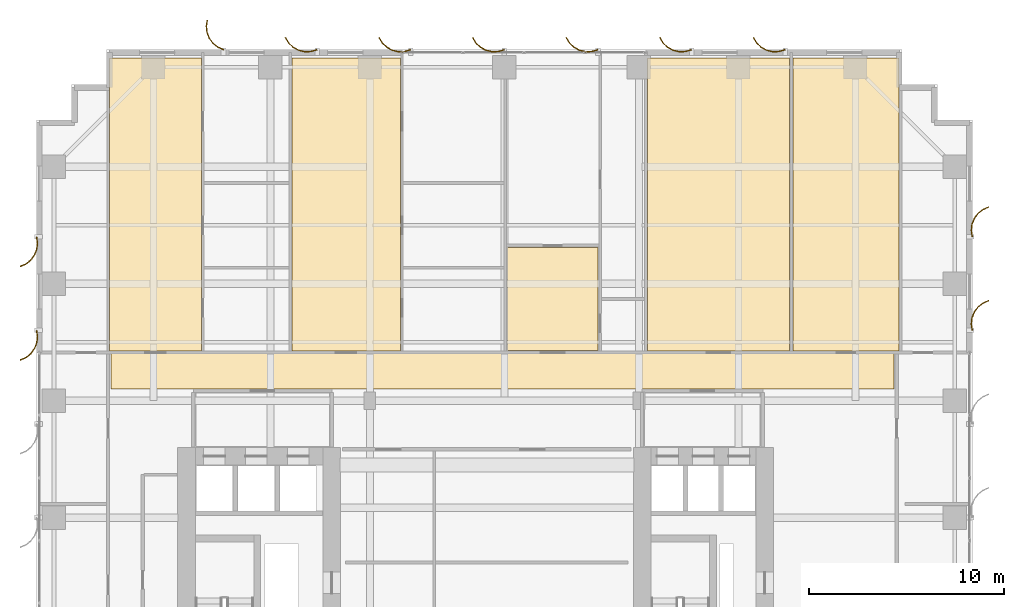
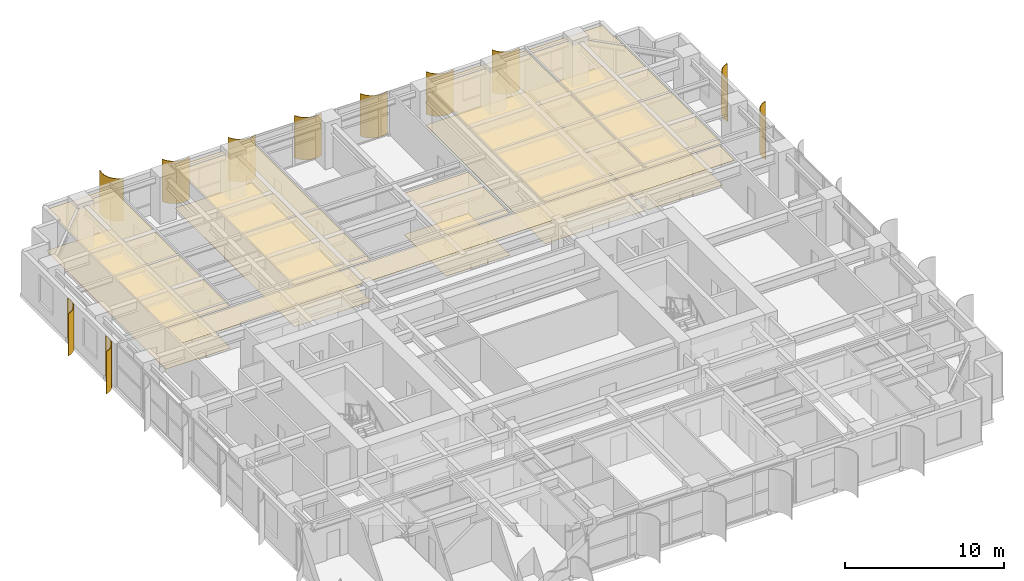
# One storey, part 23 of 23: 11 coverings, 11 shading devices.
"""IFC4 building model written with IfcOpenShell, lengths in metres."""

import ifcopenshell
import ifcopenshell.guid

model = None  # the IFC model being written
_history = None  # IfcOwnerHistory: only IFC2X3 demands one
_inside = {}  # id of a spatial element -> (the spatial element, [elements in it])
_under = {}  # id of a project, library or spatial element -> (it, [spatial elements below it])
_declared = {}  # id of a project -> (the project, [libraries it declares])
_typed = {}  # id of a type object -> (the type object, [elements of that type])
_made_of = {}  # id of a material, layer set ... -> (it, [elements and type objects made of it])


def new_model(schema):
    """Start an empty IFC model of exactly this schema.

    Asked for "IFC4X3", IfcOpenShell would pick the latest addendum, in which some entities
    have other attributes; the version numbers below select the first issue.
    IFC2X3 requires an IfcOwnerHistory on every rooted entity: one is made here for all.
    """
    global model, _history
    if schema == "IFC4X3":
        model = ifcopenshell.file(schema_version=(4, 3, 0, 0))
    else:
        model = ifcopenshell.file(schema=schema)
    _inside.clear()
    _under.clear()
    _declared.clear()
    _typed.clear()
    _made_of.clear()
    _history = None
    if model.schema == "IFC2X3":
        org = make("IfcOrganization", Name="unknown")
        user = make(
            "IfcPersonAndOrganization",
            ThePerson=make("IfcPerson", FamilyName="unknown"),
            TheOrganization=org,
        )
        app = make(
            "IfcApplication",
            ApplicationDeveloper=org,
            Version="unknown",
            ApplicationFullName="unknown",
            ApplicationIdentifier="unknown",
        )
        _history = make(
            "IfcOwnerHistory",
            OwningUser=user,
            OwningApplication=app,
            ChangeAction="ADDED",
            CreationDate=0,
        )
    return model


def make(cls, **values):
    """One entity of the class cls with the attributes given. An attribute that is None is left unset."""
    return model.create_entity(
        cls, **{name: value for name, value in values.items() if value is not None}
    )


def rooted(cls, **values):
    """An entity with a GlobalId (a new one), such as an element, a storey or a relation."""
    return make(cls, GlobalId=ifcopenshell.guid.new(), OwnerHistory=_history, **values)


def si_unit(unit_type, name, prefix=None):
    """IfcSIUnit, for example si_unit("LENGTHUNIT", "METRE", prefix="MILLI")."""
    return make("IfcSIUnit", UnitType=unit_type, Prefix=prefix, Name=name)


def assignment(units):
    """IfcUnitAssignment: the units of a project."""
    return None if units is None else make("IfcUnitAssignment", Units=units)


def point(xyz):
    """IfcCartesianPoint."""
    return None if xyz is None else make("IfcCartesianPoint", Coordinates=xyz)


def direction(xyz):
    """IfcDirection."""
    return None if xyz is None else make("IfcDirection", DirectionRatios=xyz)


def frame(location, z_axis=None, x_axis=None):
    """IfcAxis2Placement3D, a coordinate frame: its origin and axes. An axis left out is left unset."""
    return make(
        "IfcAxis2Placement3D",
        Location=point(location),
        Axis=direction(z_axis),
        RefDirection=direction(x_axis),
    )


def origin():
    """The frame at (0, 0, 0) with its axes left unset."""
    return frame((0.0, 0.0, 0.0))


def place(relative_to, where):
    """IfcLocalPlacement: puts the frame where relative to a parent placement (None: the world)."""
    return make(
        "IfcLocalPlacement", PlacementRelTo=relative_to, RelativePlacement=where
    )


def context(
    kind, dimensions, precision=None, world=None, true_north=None, identifier=None
):
    """IfcGeometricRepresentationContext, for example the 3D "Model" context."""
    return make(
        "IfcGeometricRepresentationContext",
        ContextIdentifier=identifier,
        ContextType=kind,
        CoordinateSpaceDimension=dimensions,
        Precision=precision,
        WorldCoordinateSystem=world,
        TrueNorth=true_north,
    )


def subcontext(parent, identifier, kind, view, scale=None):
    """IfcGeometricRepresentationSubContext, for example "Body" below "Model"."""
    return make(
        "IfcGeometricRepresentationSubContext",
        ContextIdentifier=identifier,
        ContextType=kind,
        ParentContext=parent,
        TargetScale=scale,
        TargetView=view,
    )


def project(units=None, contexts=None):
    """IfcProject with its units and contexts."""
    return rooted(
        "IfcProject",
        Name="project",
        RepresentationContexts=contexts,
        UnitsInContext=assignment(units),
    )


def spatial(cls, under=None, at=None, **own):
    """A site, building, storey or space (cls), placed at a placement, below another one or the project."""
    s = rooted(cls, ObjectPlacement=at, **own)
    if under is not None:
        _under.setdefault(under.id(), (under, []))[1].append(s)
    return s


def polyline(points):
    """IfcPolyline through the points."""
    return make("IfcPolyline", Points=[point(p) for p in points])


def outline(outer, holes=None, kind="AREA"):
    """IfcArbitraryClosedProfileDef: a profile drawn as a closed curve; with holes, ...WithVoids."""
    if holes is None:
        return make("IfcArbitraryClosedProfileDef", ProfileType=kind, OuterCurve=outer)
    return make(
        "IfcArbitraryProfileDefWithVoids",
        ProfileType=kind,
        OuterCurve=outer,
        InnerCurves=holes,
    )


def extrude(swept, where, along, depth):
    """IfcExtrudedAreaSolid: the profile swept, set in the frame where, extruded along a direction by depth."""
    return make(
        "IfcExtrudedAreaSolid",
        SweptArea=swept,
        Position=where,
        ExtrudedDirection=direction(along),
        Depth=depth,
    )


def shape(context_of_items, identifier, shape_type, items):
    """IfcShapeRepresentation: the items that make up one representation, for example the "Body"."""
    return make(
        "IfcShapeRepresentation",
        ContextOfItems=context_of_items,
        RepresentationIdentifier=identifier,
        RepresentationType=shape_type,
        Items=items,
    )


def source(mapping_origin, context_of_items, identifier, shape_type, items):
    """IfcRepresentationMap: a shape defined once, which mapped items show again and again."""
    return make(
        "IfcRepresentationMap",
        MappingOrigin=mapping_origin,
        MappedRepresentation=shape(context_of_items, identifier, shape_type, items),
    )


def transform(
    local_origin,
    x_axis=None,
    y_axis=None,
    z_axis=None,
    scale=None,
    scale2=None,
    scale3=None,
    uniform=True,
):
    """IfcCartesianTransformationOperator3D, or its non-uniform kind. x_axis, y_axis, z_axis: its Axis1, 2, 3."""
    if uniform:
        return make(
            "IfcCartesianTransformationOperator3D",
            Axis1=direction(x_axis),
            Axis2=direction(y_axis),
            LocalOrigin=point(local_origin),
            Scale=scale,
            Axis3=direction(z_axis),
        )
    return make(
        "IfcCartesianTransformationOperator3DnonUniform",
        Axis1=direction(x_axis),
        Axis2=direction(y_axis),
        LocalOrigin=point(local_origin),
        Scale=scale,
        Axis3=direction(z_axis),
        Scale2=scale2,
        Scale3=scale3,
    )


def mapped(mapping_source, mapping_target):
    """IfcMappedItem: shows the shape of a source again, moved by a transform."""
    return make(
        "IfcMappedItem", MappingSource=mapping_source, MappingTarget=mapping_target
    )


def material(Name=None, Category=None):
    """IfcMaterial."""
    return make("IfcMaterial", Name=Name, Category=Category)


def layer(
    of_material, thickness, ventilated=None, Name=None, Category=None, Priority=None
):
    """IfcMaterialLayer: one layer of a wall or slab, of a material (None: an air gap)."""
    return make(
        "IfcMaterialLayer",
        Material=of_material,
        LayerThickness=thickness,
        IsVentilated=ventilated,
        Name=Name,
        Category=Category,
        Priority=Priority,
    )


def layer_set(layers, Name=None):
    """IfcMaterialLayerSet."""
    return make("IfcMaterialLayerSet", MaterialLayers=layers, LayerSetName=Name)


def made_of(thing, what):
    """Note that an element or type object is made of a material, layer set ...; save() writes the relation."""
    if what is not None:
        _made_of.setdefault(what.id(), (what, []))[1].append(thing)
    return thing


def type_object(cls, material=None, **own):
    """A type object (cls), such as IfcWallType, which elements share."""
    return made_of(rooted(cls, **own), material)


def element(
    cls,
    number,
    at=None,
    inside=None,
    cuts=None,
    type_object=None,
    material=None,
    context=None,
    identifier="Body",
    shape_type=None,
    held_by="IfcProductDefinitionShape",
    body=None,
    shapes=None,
    **own,
):
    """One element of the class cls, such as IfcWall. Its Tag is "e" and its number.

    at: its placement. inside: the storey or other place that contains it. cuts: it is an
    opening in that element (IfcRelVoidsElement). A single representation is given by context,
    identifier, shape_type and body (its items); several are given by shapes. held_by: the class
    of the entity that holds the representations. save() writes the other relations.
    """
    e = rooted(cls, Tag="e%d" % number, ObjectPlacement=at, **own)
    if body is not None:
        shapes = [shape(context, identifier, shape_type, body)]
    if shapes is not None:
        e.Representation = make(held_by, Representations=shapes)
    if inside is not None:
        _inside.setdefault(inside.id(), (inside, []))[1].append(e)
    if cuts is not None:
        rooted(
            "IfcRelVoidsElement", RelatingBuildingElement=cuts, RelatedOpeningElement=e
        )
    if type_object is not None:
        _typed.setdefault(type_object.id(), (type_object, []))[1].append(e)
    return made_of(e, material)


def aggregate(whole, parts):
    """IfcRelAggregates: a whole, such as a stair, and the parts it consists of."""
    return rooted("IfcRelAggregates", RelatingObject=whole, RelatedObjects=parts)


def save(model, path):
    """Write the relations noted so far, then the file.

    IfcRelAggregates (storeys below a building ...), IfcRelContainedInSpatialStructure (elements
    in a storey), IfcRelDefinesByType, IfcRelAssociatesMaterial and IfcRelDeclares: one each for
    every whole, place, type object, material and project.
    """
    for whole, parts in _under.values():
        aggregate(whole, parts)
    for where, things in _inside.values():
        rooted(
            "IfcRelContainedInSpatialStructure",
            RelatedElements=things,
            RelatingStructure=where,
        )
    for kind, things in _typed.values():
        rooted("IfcRelDefinesByType", RelatedObjects=things, RelatingType=kind)
    for what, things in _made_of.values():
        rooted("IfcRelAssociatesMaterial", RelatedObjects=things, RelatingMaterial=what)
    for by, libraries in _declared.values():
        rooted("IfcRelDeclares", RelatingContext=by, RelatedDefinitions=libraries)
    model.write(path)


model = new_model("IFC4")

# Units and contexts
model_context = context("Model", 3, precision=1e-05, world=origin(), true_north=direction((0.0, 1.0)))
body_context = subcontext(model_context, "Body", "Model", "MODEL_VIEW")
ifc_project = project(units=[si_unit("LENGTHUNIT", "METRE"), si_unit("AREAUNIT", "SQUARE_METRE"), si_unit("VOLUMEUNIT", "CUBIC_METRE"), si_unit("PLANEANGLEUNIT", "RADIAN"), si_unit("MASSUNIT", "GRAM", prefix="KILO")], contexts=[model_context])

# Site, building, storey
site_placement = place(None, origin())
site = spatial("IfcSite", under=ifc_project, at=site_placement, CompositionType="ELEMENT")
building_placement = place(site_placement, origin())
building = spatial("IfcBuilding", under=site, at=building_placement, Name="Khoralis Quay Care Tower", CompositionType="ELEMENT")
storey_placement = place(building_placement, frame((0.0, 0.0, 33.300048828125)))
storey = spatial("IfcBuildingStorey", under=building, at=storey_placement, Name="L08", CompositionType="ELEMENT", Elevation=33.300048828125)

# Coverings
ifc_material_1 = material(Name="Mineral-fibre acoustic ceiling tile")
ifc_layer_1 = layer(ifc_material_1, 0.01806640625)
ifc_layer_set_1 = layer_set([ifc_layer_1], Name="Mineral-fibre acoustic ceiling tile")
covering_type_1 = type_object("IfcCoveringType", Name="COV-CEIL-AC18", PredefinedType="CEILING", material=ifc_layer_set_1)
covering_1_placement = place(storey_placement, frame((0.0, 0.0, 3.171875)))
element("IfcCovering", 1, at=covering_1_placement, inside=storey, type_object=covering_type_1, Name="Suspended Acoustic Ceiling SP-L08-CORR-N", PredefinedType="CEILING", context=body_context, shape_type="SweptSolid", body=[
    extrude(outline(polyline([(3.820068359375, 30.590087890625), (43.97998046875, 30.590087890625), (43.97998046875, 32.419921875), (3.820068359375, 32.419921875), (3.820068359375, 30.590087890625)])), origin(), (0.0, 0.0, 1.0), 0.01806640625),
])
covering_2_placement = place(storey_placement, frame((0.0, 0.0, 3.171875)))
element("IfcCovering", 2, at=covering_2_placement, inside=storey, type_object=covering_type_1, Name="Suspended Acoustic Ceiling SP-L08-NB-LIV0", PredefinedType="CEILING", context=body_context, shape_type="SweptSolid", body=[
    extrude(outline(polyline([(3.760009765625, 32.5400390625), (8.45703125, 32.5400390625), (8.45703125, 47.580078125), (3.760009765625, 47.580078125), (3.760009765625, 32.5400390625)])), origin(), (0.0, 0.0, 1.0), 0.01806640625),
])
covering_3_placement = place(storey_placement, frame((0.0, 0.0, 3.171875)))
element("IfcCovering", 3, at=covering_3_placement, inside=storey, type_object=covering_type_1, Name="Suspended Acoustic Ceiling SP-L08-NB-LIV1", PredefinedType="CEILING", context=body_context, shape_type="SweptSolid", body=[
    extrude(outline(polyline([(13.10009765625, 32.5400390625), (18.676025390625, 32.5400390625), (18.676025390625, 47.580078125), (13.10009765625, 47.580078125), (13.10009765625, 32.5400390625)])), origin(), (0.0, 0.0, 1.0), 0.01806640625),
])
covering_4_placement = place(storey_placement, frame((0.0, 0.0, 3.171875)))
element("IfcCovering", 4, at=covering_4_placement, inside=storey, type_object=covering_type_1, Name="Suspended Acoustic Ceiling SP-L08-NB-CARE2", PredefinedType="CEILING", context=body_context, shape_type="SweptSolid", body=[
    extrude(outline(polyline([(24.14990234375, 32.56005859375), (28.81005859375, 32.56005859375), (28.81005859375, 37.85009765625), (24.14990234375, 37.85009765625), (24.14990234375, 32.56005859375)])), origin(), (0.0, 0.0, 1.0), 0.01806640625),
])
covering_5_placement = place(storey_placement, frame((0.0, 0.0, 3.171875)))
element("IfcCovering", 5, at=covering_5_placement, inside=storey, type_object=covering_type_1, Name="Suspended Acoustic Ceiling SP-L08-NB-COM3", PredefinedType="CEILING", context=body_context, shape_type="SweptSolid", body=[
    extrude(outline(polyline([(31.340087890625, 32.5400390625), (38.6298828125, 32.5400390625), (38.6298828125, 47.580078125), (31.340087890625, 47.580078125), (31.340087890625, 32.5400390625)])), origin(), (0.0, 0.0, 1.0), 0.01806640625),
])
covering_6_placement = place(storey_placement, frame((0.0, 0.0, 3.171875)))
element("IfcCovering", 6, at=covering_6_placement, inside=storey, type_object=covering_type_1, Name="Suspended Acoustic Ceiling SP-L08-NB-COM4", PredefinedType="CEILING", context=body_context, shape_type="SweptSolid", body=[
    extrude(outline(polyline([(38.7900390625, 32.5400390625), (44.239990234375, 32.5400390625), (44.239990234375, 47.580078125), (38.7900390625, 47.580078125), (38.7900390625, 32.5400390625)])), origin(), (0.0, 0.0, 1.0), 0.01806640625),
])
ifc_material_2 = material(Name="Porcelain and non-slip vinyl flooring")
ifc_layer_2 = layer(ifc_material_2, 0.02001953125)
ifc_layer_set_2 = layer_set([ifc_layer_2], Name="Porcelain and non-slip vinyl flooring")
covering_type_2 = type_object("IfcCoveringType", Name="COV-FLOOR-20", PredefinedType="FLOORING", material=ifc_layer_set_2)
covering_7_placement = place(storey_placement, origin())
element("IfcCovering", 7, at=covering_7_placement, inside=storey, type_object=covering_type_2, Name="Resilient Healthcare Flooring SP-L08-NB-LIV0", PredefinedType="FLOORING", context=body_context, shape_type="SweptSolid", body=[
    extrude(outline(polyline([(3.760009765625, 32.5400390625), (8.45703125, 32.5400390625), (8.45703125, 47.580078125), (3.760009765625, 47.580078125), (3.760009765625, 32.5400390625)])), origin(), (0.0, 0.0, 1.0), 0.02001953125),
])
covering_8_placement = place(storey_placement, origin())
element("IfcCovering", 8, at=covering_8_placement, inside=storey, type_object=covering_type_2, Name="Resilient Healthcare Flooring SP-L08-NB-LIV1", PredefinedType="FLOORING", context=body_context, shape_type="SweptSolid", body=[
    extrude(outline(polyline([(13.10009765625, 32.5400390625), (18.676025390625, 32.5400390625), (18.676025390625, 47.580078125), (13.10009765625, 47.580078125), (13.10009765625, 32.5400390625)])), origin(), (0.0, 0.0, 1.0), 0.02001953125),
])
covering_9_placement = place(storey_placement, origin())
element("IfcCovering", 9, at=covering_9_placement, inside=storey, type_object=covering_type_2, Name="Resilient Healthcare Flooring SP-L08-NB-CARE2", PredefinedType="FLOORING", context=body_context, shape_type="SweptSolid", body=[
    extrude(outline(polyline([(24.14990234375, 32.56005859375), (28.81005859375, 32.56005859375), (28.81005859375, 37.85009765625), (24.14990234375, 37.85009765625), (24.14990234375, 32.56005859375)])), origin(), (0.0, 0.0, 1.0), 0.02001953125),
])
covering_10_placement = place(storey_placement, origin())
element("IfcCovering", 10, at=covering_10_placement, inside=storey, type_object=covering_type_2, Name="Resilient Healthcare Flooring SP-L08-NB-COM3", PredefinedType="FLOORING", context=body_context, shape_type="SweptSolid", body=[
    extrude(outline(polyline([(31.340087890625, 32.5400390625), (38.6298828125, 32.5400390625), (38.6298828125, 47.580078125), (31.340087890625, 47.580078125), (31.340087890625, 32.5400390625)])), origin(), (0.0, 0.0, 1.0), 0.02001953125),
])
covering_11_placement = place(storey_placement, origin())
element("IfcCovering", 11, at=covering_11_placement, inside=storey, type_object=covering_type_2, Name="Resilient Healthcare Flooring SP-L08-NB-COM4", PredefinedType="FLOORING", context=body_context, shape_type="SweptSolid", body=[
    extrude(outline(polyline([(38.7900390625, 32.5400390625), (44.239990234375, 32.5400390625), (44.239990234375, 47.580078125), (38.7900390625, 47.580078125), (38.7900390625, 32.5400390625)])), origin(), (0.0, 0.0, 1.0), 0.02001953125),
])

# Shading devices
ifc_material_3 = material(Name="Brushed pale anodised aluminium", Category="aluminium")
ifc_layer_3 = layer(ifc_material_3, 0.044921875)
ifc_layer_set_3 = layer_set([ifc_layer_3], Name="Brushed pale anodised aluminium")
shading_device_type = type_object("IfcShadingDeviceType", Name="SHD-FIN-1250", PredefinedType="USERDEFINED", material=ifc_layer_set_3)
shared_shape_1 = source(origin(), body_context, "Body", "SweptSolid", [
    extrude(outline(polyline([(0.0, 0.0), (0.130126953125, 0.29931640625), (0.333251953125, 0.5546875), (0.595458984375, 0.748779296875), (0.899169921875, 0.868408203125), (1.223388671875, 0.9052734375), (1.546142578125, 0.85693359375), (1.53369140625, 0.813720703125), (1.22265625, 0.8603515625), (0.91015625, 0.82470703125), (0.617431640625, 0.70947265625), (0.364501953125, 0.522216796875), (0.168701171875, 0.276123046875), (0.043212890625, -0.012451171875), (0.0, 0.0)])), origin(), (0.0, 0.0, 1.0), 3.260009765625),
])
shading_device_placement = place(storey_placement, frame((9.60009765625, 47.969970703125, 0.02001953125), z_axis=(0.0, 0.0, 1.0), x_axis=(0.0, 1.0, 0.0)))
element("IfcShadingDevice", 12, at=shading_device_placement, inside=storey, type_object=shading_device_type, Name="L08 Curved Solar Fin P1E10-07", ObjectType="FIN", PredefinedType="USERDEFINED", context=body_context, shape_type="MappedRepresentation", body=[
    mapped(shared_shape_1, transform((0.0, 0.0, 0.0), scale=1.0)),
])
shared_shape_2 = source(origin(), body_context, "Body", "SweptSolid", [
    extrude(outline(polyline([(0.0, 0.0), (-0.04833984375, 0.32275390625), (-0.01123046875, 0.64697265625), (0.1083984375, 0.950439453125), (0.302490234375, 1.212890625), (0.557861328125, 1.416015625), (0.85693359375, 1.546142578125), (0.869384765625, 1.5029296875), (0.5810546875, 1.37744140625), (0.334716796875, 1.181640625), (0.147705078125, 0.9287109375), (0.032470703125, 0.635986328125), (-0.003173828125, 0.323486328125), (0.043212890625, 0.012451171875), (0.0, 0.0)])), origin(), (0.0, 0.0, 1.0), 3.260009765625),
])
for number, where, z_axis, x_axis, name in (
    (13, (47.969970703125, 33.60009765625, 0.02001953125), (0.0, 0.0, 1.0), (1.0, 0.0, 0.0), "L08 Curved Solar Fin P1E5-06"),
    (14, (47.969970703125, 38.39990234375, 0.02001953125), (0.0, 0.0, 1.0), (1.0, 0.0, 0.0), "L08 Curved Solar Fin P1E5-07"),
    (15, (0.030029296875, 38.39990234375, 0.02001953125), (0.0, 0.0, 1.0), (-1.0, 0.0, 0.0), "L08 Curved Solar Fin P1E15-01"),
    (16, (0.030029296875, 33.60009765625, 0.02001953125), (0.0, 0.0, 1.0), (-1.0, 0.0, 0.0), "L08 Curved Solar Fin P1E15-02"),
):
    element("IfcShadingDevice", number, at=place(storey_placement, frame(where, z_axis=z_axis, x_axis=x_axis)), inside=storey, type_object=shading_device_type, Name=name, ObjectType="FIN", PredefinedType="USERDEFINED", context=body_context, shape_type="MappedRepresentation", body=[
        mapped(shared_shape_2, transform((0.0, 0.0, 0.0), scale=1.0)),
    ])
shared_shape_3 = source(origin(), body_context, "Body", "SweptSolid", [
    extrude(outline(polyline([(0.0, 0.0), (-0.0927734375, 0.31298828125), (-0.101318359375, 0.63916015625), (-0.025146484375, 0.956298828125), (0.130615234375, 1.2431640625), (0.355224609375, 1.479736328125), (0.633544921875, 1.650390625), (0.65185546875, 1.609130859375), (0.383544921875, 1.44482421875), (0.1669921875, 1.216796875), (0.01708984375, 0.940185546875), (-0.056396484375, 0.63427734375), (-0.04833984375, 0.31982421875), (0.041015625, 0.018310546875), (0.0, 0.0)])), origin(), (0.0, 0.0, 1.0), 3.260009765625),
])
for number, where, z_axis, x_axis, name in (
    (17, (38.39990234375, 47.969970703125, 0.02001953125), (0.0, 0.0, 1.0), (0.0, 1.0, 0.0), "L08 Curved Solar Fin P1E10-01"),
    (18, (33.60009765625, 47.969970703125, 0.02001953125), (0.0, 0.0, 1.0), (0.0, 1.0, 0.0), "L08 Curved Solar Fin P1E10-02"),
    (19, (28.800048828125, 47.969970703125, 0.02001953125), (0.0, 0.0, 1.0), (0.0, 1.0, 0.0), "L08 Curved Solar Fin P1E10-03"),
    (20, (24.0, 47.969970703125, 0.02001953125), (0.0, 0.0, 1.0), (0.0, 1.0, 0.0), "L08 Curved Solar Fin P1E10-04"),
    (21, (19.199951171875, 47.969970703125, 0.02001953125), (0.0, 0.0, 1.0), (0.0, 1.0, 0.0), "L08 Curved Solar Fin P1E10-05"),
    (22, (14.39990234375, 47.969970703125, 0.02001953125), (0.0, 0.0, 1.0), (0.0, 1.0, 0.0), "L08 Curved Solar Fin P1E10-06"),
):
    element("IfcShadingDevice", number, at=place(storey_placement, frame(where, z_axis=z_axis, x_axis=x_axis)), inside=storey, type_object=shading_device_type, Name=name, ObjectType="FIN", PredefinedType="USERDEFINED", context=body_context, shape_type="MappedRepresentation", body=[
        mapped(shared_shape_3, transform((0.0, 0.0, 0.0), scale=1.0)),
    ])

save(model, "model.ifc")
